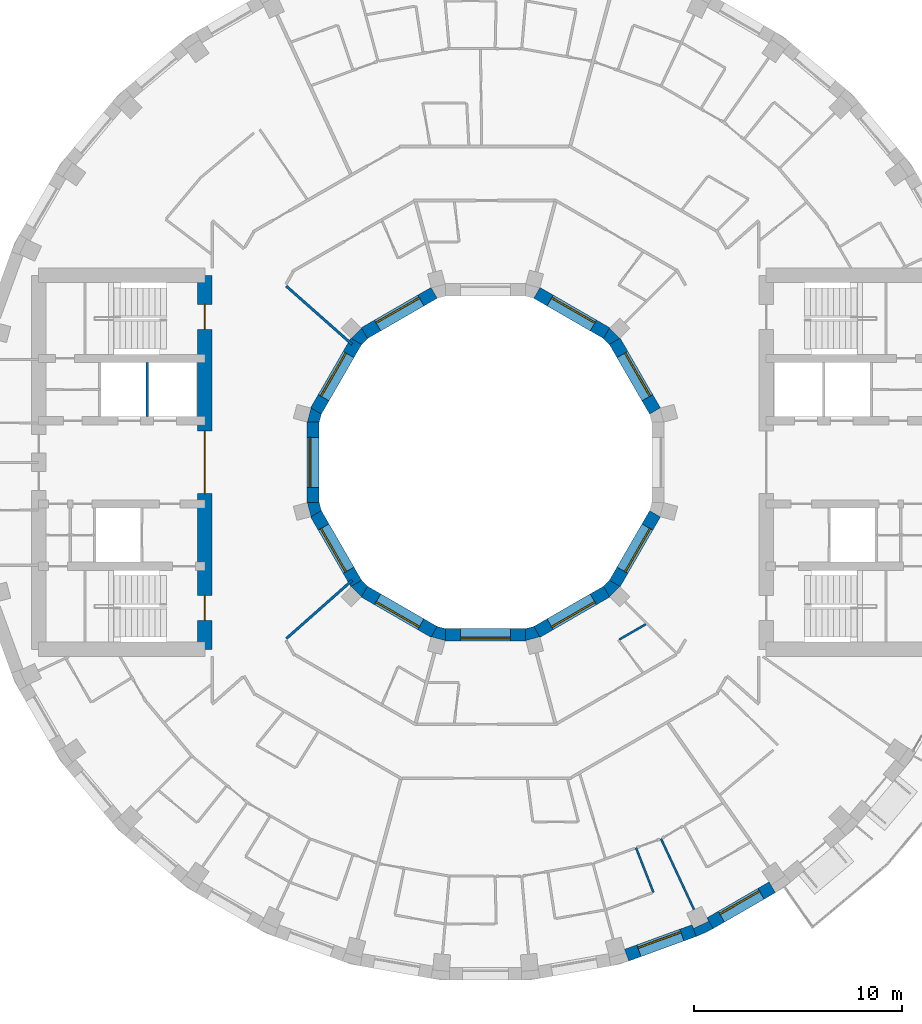
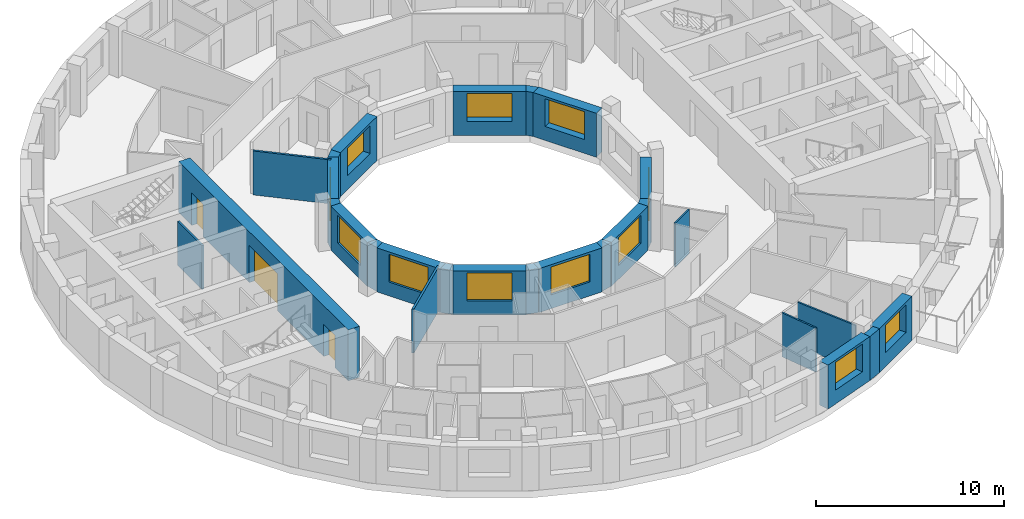
# One storey, part 7 of 14: 28 walls, 12 windows, 3 doors, 15 openings.
"""IFC4 building model written with IfcOpenShell, lengths in metres."""

from ifc_helpers import new_model, si_unit, direction, frame, frame_2d, origin, place, context, subcontext, project, spatial, polyline, rectangle, outline, extrude, material, layer, layer_set, type_object, element, fill, save


model = new_model("IFC4")

# Units and contexts
model_context = context("Model", 3, precision=1e-05, world=origin(), true_north=direction((0.0, 1.0)))
body_context = subcontext(model_context, "Body", "Model", "MODEL_VIEW")
ifc_project = project(units=[si_unit("LENGTHUNIT", "METRE"), si_unit("AREAUNIT", "SQUARE_METRE"), si_unit("VOLUMEUNIT", "CUBIC_METRE"), si_unit("PLANEANGLEUNIT", "RADIAN"), si_unit("MASSUNIT", "GRAM", prefix="KILO")], contexts=[model_context])

# Site, building, storey
site_placement = place(None, origin())
site = spatial("IfcSite", under=ifc_project, at=site_placement, CompositionType="ELEMENT")
building_placement = place(site_placement, origin())
building = spatial("IfcBuilding", under=site, at=building_placement, Name="Saqina Gate Tower", CompositionType="ELEMENT")
storey_placement = place(building_placement, frame((0.0, 0.0, 174.0)))
storey = spatial("IfcBuildingStorey", under=building, at=storey_placement, Name="L49", CompositionType="ELEMENT", Elevation=174.0)

# Wall
ifc_material_1 = material(Name="Brick masonry (buff)", Category="masonry")
wall_type_1 = type_object("IfcWallType", Name="BRICK PIER COPING BUFF", PredefinedType="SOLIDWALL", material=ifc_material_1)
wall_1_placement = place(storey_placement, origin())
element("IfcWall", 1, at=wall_1_placement, inside=storey, type_object=wall_type_1, Name="Pier cap L49 column 30", PredefinedType="SOLIDWALL", context=body_context, shape_type="SweptSolid", body=[
    extrude(outline(polyline([(10.958740234375, -22.4306640625), (10.65869140625, -21.9111328125), (10.73779296875, -22.080810546875), (10.0126953125, -22.4189453125), (9.93359375, -22.249267578125), (10.138916015625, -22.81298828125), (10.958740234375, -22.4306640625)])), origin(), (0.0, 0.0, 1.0), 2.85009765625),
])

# Wall, opening, window
ifc_material_2 = material(Name="Brick masonry (buff)", Category="masonry")
ifc_layer_1 = layer(ifc_material_2, 0.60009765625)
ifc_layer_set_1 = layer_set([ifc_layer_1], Name="FW-BRICK-BUFF")
wall_type_2 = type_object("IfcWallType", Name="FW-BRICK-BUFF", PredefinedType="SOLIDWALL", material=ifc_layer_set_1)
wall_2_placement = place(storey_placement, frame((6.79443359375, -23.7109375, 0.0), z_axis=(0.0, 0.0, 1.0), x_axis=(0.93968799822, 0.342032843455, 0.0)))
wall_2 = element("IfcWall", 2, at=wall_2_placement, inside=storey, type_object=wall_type_2, Name="Facade wall L49 facet 29", PredefinedType="SOLIDWALL", context=body_context, shape_type="SweptSolid", body=[
    extrude(rectangle(XDim=3.44970703125, YDim=0.60009765625, at=frame_2d((1.724853515625, 0.0))), origin(), (0.0, 0.0, 1.0), 2.85009765625),
])
opening_1_placement = place(wall_2_placement, frame((0.625, 0.0, 0.89990234375)))
opening_1 = element("IfcOpeningElement", 3, at=opening_1_placement, cuts=wall_2, Name="Opening G14-W22", PredefinedType="OPENING", context=body_context, shape_type="SweptSolid", body=[
    extrude(rectangle(XDim=2.199951171875, YDim=1.800048828125, at=frame_2d((1.10009765625, 0.89990234375))), frame((0.0, 0.31201171875, 0.0), z_axis=(0.0, -1.0, 0.0), x_axis=(1.0, 0.0, 0.0)), (0.0, 0.0, 1.0), 0.6240234375),
])
ifc_material_3 = material(Name="Aluminium glazing", Category="aluminium")
window_type_1 = type_object("IfcWindowType", Name="WN-C", PartitioningType="SINGLE_PANEL", PredefinedType="WINDOW", material=ifc_material_3)
window_1_placement = place(opening_1_placement, origin())
window_1 = element("IfcWindow", 4, at=window_1_placement, inside=storey, type_object=window_type_1, Name="Window L49 facet 29", OverallHeight=1.800048828125, OverallWidth=2.199951171875, PartitioningType="SINGLE_PANEL", PredefinedType="WINDOW", context=body_context, shape_type="SweptSolid", body=[
    extrude(rectangle(XDim=2.199951171875, YDim=1.800048828125, at=frame_2d((1.10009765625, 0.89990234375))), frame((0.0, 0.179931640625, 0.0), z_axis=(0.0, -1.0, 0.0), x_axis=(1.0, 0.0, 0.0)), (0.0, 0.0, 1.0), 0.06005859375),
])
fill(opening_1, window_1)

wall_3_placement = place(storey_placement, frame((10.80859375, -22.1708984375, 0.0), z_axis=(0.0, 0.0, 1.0), x_axis=(0.86602648383, 0.499998129301, 0.0)))
wall_3 = element("IfcWall", 5, at=wall_3_placement, inside=storey, type_object=wall_type_2, Name="Facade wall L49 facet 30", PredefinedType="SOLIDWALL", context=body_context, shape_type="SweptSolid", body=[
    extrude(rectangle(XDim=3.44970703125, YDim=0.60009765625, at=frame_2d((1.724853515625, 0.0))), origin(), (0.0, 0.0, 1.0), 2.85009765625),
])
opening_2_placement = place(wall_3_placement, frame((0.625, 0.0, 0.89990234375)))
opening_2 = element("IfcOpeningElement", 6, at=opening_2_placement, cuts=wall_3, Name="Opening G14-W23", PredefinedType="OPENING", context=body_context, shape_type="SweptSolid", body=[
    extrude(rectangle(XDim=2.199951171875, YDim=1.800048828125, at=frame_2d((1.10009765625, 0.89990234375))), frame((0.0, 0.31201171875, 0.0), z_axis=(0.0, -1.0, 0.0), x_axis=(1.0, 0.0, 0.0)), (0.0, 0.0, 1.0), 0.6240234375),
])
window_2_placement = place(opening_2_placement, origin())
window_2 = element("IfcWindow", 7, at=window_2_placement, inside=storey, type_object=window_type_1, Name="Window L49 facet 30", OverallHeight=1.800048828125, OverallWidth=2.199951171875, PartitioningType="SINGLE_PANEL", PredefinedType="WINDOW", context=body_context, shape_type="SweptSolid", body=[
    extrude(rectangle(XDim=2.199951171875, YDim=1.800048828125, at=frame_2d((1.10009765625, 0.89990234375))), frame((0.0, 0.179931640625, 0.0), z_axis=(0.0, -1.0, 0.0), x_axis=(1.0, 0.0, 0.0)), (0.0, 0.0, 1.0), 0.06005859375),
])
fill(opening_2, window_2)

ifc_material_4 = material(Name="Glazed ceramic tile", Category="ceramic")
ifc_layer_2 = layer(ifc_material_4, 0.60009765625)
ifc_layer_set_2 = layer_set([ifc_layer_2], Name="IW-TILE")
wall_type_3 = type_object("IfcWallType", Name="IW-TILE", PredefinedType="SOLIDWALL", material=ifc_layer_set_2)
wall_4_placement = place(storey_placement, frame((8.155517578125, 2.474365234375, 0.0), z_axis=(0.0, 0.0, 1.0), x_axis=(-0.500033728941, 0.866005929495, 0.0)))
wall_4 = element("IfcWall", 8, at=wall_4_placement, inside=storey, type_object=wall_type_3, Name="Well wall L49 facet 1", PredefinedType="SOLIDWALL", context=body_context, shape_type="SweptSolid", body=[
    extrude(rectangle(XDim=3.869873046875, YDim=0.60009765625, at=frame_2d((1.93505859375, 0.0))), origin(), (0.0, 0.0, 1.0), 2.85009765625),
])
opening_3_placement = place(wall_4_placement, frame((0.73486328125, 0.0, 0.89990234375)))
opening_3 = element("IfcOpeningElement", 9, at=opening_3_placement, cuts=wall_4, Name="Opening G14-W24", PredefinedType="OPENING", context=body_context, shape_type="SweptSolid", body=[
    extrude(rectangle(XDim=2.39990234375, YDim=1.800048828125, at=frame_2d((1.199951171875, 0.89990234375))), frame((0.0, 0.31201171875, 0.0), z_axis=(0.0, -1.0, 0.0), x_axis=(1.0, 0.0, 0.0)), (0.0, 0.0, 1.0), 0.6240234375),
])
ifc_material_5 = material(Name="Aluminium glazing", Category="aluminium")
window_type_2 = type_object("IfcWindowType", Name="WN-W", PartitioningType="SINGLE_PANEL", PredefinedType="WINDOW", material=ifc_material_5)
window_3_placement = place(opening_3_placement, origin())
window_3 = element("IfcWindow", 10, at=window_3_placement, inside=storey, type_object=window_type_2, Name="Well window L49 facet 1", OverallHeight=1.800048828125, OverallWidth=2.39990234375, PartitioningType="SINGLE_PANEL", PredefinedType="WINDOW", context=body_context, shape_type="SweptSolid", body=[
    extrude(rectangle(XDim=2.39990234375, YDim=1.800048828125, at=frame_2d((1.199951171875, 0.89990234375))), frame((0.0, -0.119873046875, 0.0), z_axis=(0.0, -1.0, 0.0), x_axis=(1.0, 0.0, 0.0)), (0.0, 0.0, 1.0), 0.06005859375),
])
fill(opening_3, window_3)

wall_5_placement = place(storey_placement, frame((5.82568359375, 6.220458984375, 0.0), z_axis=(0.0, 0.0, 1.0), x_axis=(-0.866005929495, 0.500033728941, 0.0)))
wall_5 = element("IfcWall", 11, at=wall_5_placement, inside=storey, type_object=wall_type_3, Name="Well wall L49 facet 2", PredefinedType="SOLIDWALL", context=body_context, shape_type="SweptSolid", body=[
    extrude(rectangle(XDim=3.869873046875, YDim=0.60009765625, at=frame_2d((1.93505859375, 0.0))), origin(), (0.0, 0.0, 1.0), 2.85009765625),
])
opening_4_placement = place(wall_5_placement, frame((0.73486328125, 0.0, 0.89990234375)))
opening_4 = element("IfcOpeningElement", 12, at=opening_4_placement, cuts=wall_5, Name="Opening G14-W25", PredefinedType="OPENING", context=body_context, shape_type="SweptSolid", body=[
    extrude(rectangle(XDim=2.39990234375, YDim=1.800048828125, at=frame_2d((1.199951171875, 0.89990234375))), frame((0.0, 0.31201171875, 0.0), z_axis=(0.0, -1.0, 0.0), x_axis=(1.0, 0.0, 0.0)), (0.0, 0.0, 1.0), 0.6240234375),
])
window_4_placement = place(opening_4_placement, origin())
window_4 = element("IfcWindow", 13, at=window_4_placement, inside=storey, type_object=window_type_2, Name="Well window L49 facet 2", OverallHeight=1.800048828125, OverallWidth=2.39990234375, PartitioningType="SINGLE_PANEL", PredefinedType="WINDOW", context=body_context, shape_type="SweptSolid", body=[
    extrude(rectangle(XDim=2.39990234375, YDim=1.800048828125, at=frame_2d((1.199951171875, 0.89990234375))), frame((0.0, -0.119873046875, 0.0), z_axis=(0.0, -1.0, 0.0), x_axis=(1.0, 0.0, 0.0)), (0.0, 0.0, 1.0), 0.06005859375),
])
fill(opening_4, window_4)

wall_6_placement = place(storey_placement, frame((-2.474365234375, 8.155517578125, 0.0), z_axis=(0.0, 0.0, 1.0), x_axis=(-0.866005929495, -0.500033728941, 0.0)))
wall_6 = element("IfcWall", 14, at=wall_6_placement, inside=storey, type_object=wall_type_3, Name="Well wall L49 facet 4", PredefinedType="SOLIDWALL", context=body_context, shape_type="SweptSolid", body=[
    extrude(rectangle(XDim=3.869873046875, YDim=0.60009765625, at=frame_2d((1.93505859375, 0.0))), origin(), (0.0, 0.0, 1.0), 2.85009765625),
])
opening_5_placement = place(wall_6_placement, frame((0.73486328125, 0.0, 0.89990234375)))
opening_5 = element("IfcOpeningElement", 15, at=opening_5_placement, cuts=wall_6, Name="Opening G14-W27", PredefinedType="OPENING", context=body_context, shape_type="SweptSolid", body=[
    extrude(rectangle(XDim=2.39990234375, YDim=1.800048828125, at=frame_2d((1.199951171875, 0.89990234375))), frame((0.0, 0.31201171875, 0.0), z_axis=(0.0, -1.0, 0.0), x_axis=(1.0, 0.0, 0.0)), (0.0, 0.0, 1.0), 0.6240234375),
])
window_5_placement = place(opening_5_placement, origin())
window_5 = element("IfcWindow", 16, at=window_5_placement, inside=storey, type_object=window_type_2, Name="Well window L49 facet 4", OverallHeight=1.800048828125, OverallWidth=2.39990234375, PartitioningType="SINGLE_PANEL", PredefinedType="WINDOW", context=body_context, shape_type="SweptSolid", body=[
    extrude(rectangle(XDim=2.39990234375, YDim=1.800048828125, at=frame_2d((1.199951171875, 0.89990234375))), frame((0.0, -0.119873046875, 0.0), z_axis=(0.0, -1.0, 0.0), x_axis=(1.0, 0.0, 0.0)), (0.0, 0.0, 1.0), 0.06005859375),
])
fill(opening_5, window_5)

wall_7_placement = place(storey_placement, frame((-6.220458984375, 5.82568359375, 0.0), z_axis=(0.0, 0.0, 1.0), x_axis=(-0.500033728941, -0.866005929495, 0.0)))
wall_7 = element("IfcWall", 17, at=wall_7_placement, inside=storey, type_object=wall_type_3, Name="Well wall L49 facet 5", PredefinedType="SOLIDWALL", context=body_context, shape_type="SweptSolid", body=[
    extrude(rectangle(XDim=3.869873046875, YDim=0.60009765625, at=frame_2d((1.93505859375, 0.0))), origin(), (0.0, 0.0, 1.0), 2.85009765625),
])
opening_6_placement = place(wall_7_placement, frame((0.73486328125, 0.0, 0.89990234375)))
opening_6 = element("IfcOpeningElement", 18, at=opening_6_placement, cuts=wall_7, Name="Opening G14-W28", PredefinedType="OPENING", context=body_context, shape_type="SweptSolid", body=[
    extrude(rectangle(XDim=2.39990234375, YDim=1.800048828125, at=frame_2d((1.199951171875, 0.89990234375))), frame((0.0, 0.31201171875, 0.0), z_axis=(0.0, -1.0, 0.0), x_axis=(1.0, 0.0, 0.0)), (0.0, 0.0, 1.0), 0.6240234375),
])
window_6_placement = place(opening_6_placement, origin())
window_6 = element("IfcWindow", 19, at=window_6_placement, inside=storey, type_object=window_type_2, Name="Well window L49 facet 5", OverallHeight=1.800048828125, OverallWidth=2.39990234375, PartitioningType="SINGLE_PANEL", PredefinedType="WINDOW", context=body_context, shape_type="SweptSolid", body=[
    extrude(rectangle(XDim=2.39990234375, YDim=1.800048828125, at=frame_2d((1.199951171875, 0.89990234375))), frame((0.0, -0.119873046875, 0.0), z_axis=(0.0, -1.0, 0.0), x_axis=(1.0, 0.0, 0.0)), (0.0, 0.0, 1.0), 0.06005859375),
])
fill(opening_6, window_6)

wall_8_placement = place(storey_placement, frame((-8.300048828125, 1.934814453125, 0.0), z_axis=(0.0, 0.0, 1.0), x_axis=(0.0, -1.0, 0.0)))
wall_8 = element("IfcWall", 20, at=wall_8_placement, inside=storey, type_object=wall_type_3, Name="Well wall L49 facet 6", PredefinedType="SOLIDWALL", context=body_context, shape_type="SweptSolid", body=[
    extrude(rectangle(XDim=3.86962890625, YDim=0.60009765625, at=frame_2d((1.934814453125, 0.0))), origin(), (0.0, 0.0, 1.0), 2.85009765625),
])
opening_7_placement = place(wall_8_placement, frame((0.73486328125, 0.0, 0.89990234375)))
opening_7 = element("IfcOpeningElement", 21, at=opening_7_placement, cuts=wall_8, Name="Opening G14-W29", PredefinedType="OPENING", context=body_context, shape_type="SweptSolid", body=[
    extrude(rectangle(XDim=2.39990234375, YDim=1.800048828125, at=frame_2d((1.199951171875, 0.89990234375))), frame((0.0, 0.31201171875, 0.0), z_axis=(0.0, -1.0, 0.0), x_axis=(1.0, 0.0, 0.0)), (0.0, 0.0, 1.0), 0.6240234375),
])
window_7_placement = place(opening_7_placement, origin())
window_7 = element("IfcWindow", 22, at=window_7_placement, inside=storey, type_object=window_type_2, Name="Well window L49 facet 6", OverallHeight=1.800048828125, OverallWidth=2.39990234375, PartitioningType="SINGLE_PANEL", PredefinedType="WINDOW", context=body_context, shape_type="SweptSolid", body=[
    extrude(rectangle(XDim=2.39990234375, YDim=1.800048828125, at=frame_2d((1.199951171875, 0.89990234375))), frame((0.0, -0.119873046875, 0.0), z_axis=(0.0, -1.0, 0.0), x_axis=(1.0, 0.0, 0.0)), (0.0, 0.0, 1.0), 0.06005859375),
])
fill(opening_7, window_7)

wall_9_placement = place(storey_placement, frame((-8.155517578125, -2.474365234375, 0.0), z_axis=(0.0, 0.0, 1.0), x_axis=(0.500033728941, -0.866005929495, 0.0)))
wall_9 = element("IfcWall", 23, at=wall_9_placement, inside=storey, type_object=wall_type_3, Name="Well wall L49 facet 7", PredefinedType="SOLIDWALL", context=body_context, shape_type="SweptSolid", body=[
    extrude(rectangle(XDim=3.869873046875, YDim=0.60009765625, at=frame_2d((1.93505859375, 0.0))), origin(), (0.0, 0.0, 1.0), 2.85009765625),
])
opening_8_placement = place(wall_9_placement, frame((0.73486328125, 0.0, 0.89990234375)))
opening_8 = element("IfcOpeningElement", 24, at=opening_8_placement, cuts=wall_9, Name="Opening G14-W30", PredefinedType="OPENING", context=body_context, shape_type="SweptSolid", body=[
    extrude(rectangle(XDim=2.39990234375, YDim=1.800048828125, at=frame_2d((1.199951171875, 0.89990234375))), frame((0.0, 0.31201171875, 0.0), z_axis=(0.0, -1.0, 0.0), x_axis=(1.0, 0.0, 0.0)), (0.0, 0.0, 1.0), 0.6240234375),
])
window_8_placement = place(opening_8_placement, origin())
window_8 = element("IfcWindow", 25, at=window_8_placement, inside=storey, type_object=window_type_2, Name="Well window L49 facet 7", OverallHeight=1.800048828125, OverallWidth=2.39990234375, PartitioningType="SINGLE_PANEL", PredefinedType="WINDOW", context=body_context, shape_type="SweptSolid", body=[
    extrude(rectangle(XDim=2.39990234375, YDim=1.800048828125, at=frame_2d((1.199951171875, 0.89990234375))), frame((0.0, -0.119873046875, 0.0), z_axis=(0.0, -1.0, 0.0), x_axis=(1.0, 0.0, 0.0)), (0.0, 0.0, 1.0), 0.06005859375),
])
fill(opening_8, window_8)

wall_10_placement = place(storey_placement, frame((-5.82568359375, -6.220458984375, 0.0), z_axis=(0.0, 0.0, 1.0), x_axis=(0.866005929495, -0.500033728941, 0.0)))
wall_10 = element("IfcWall", 26, at=wall_10_placement, inside=storey, type_object=wall_type_3, Name="Well wall L49 facet 8", PredefinedType="SOLIDWALL", context=body_context, shape_type="SweptSolid", body=[
    extrude(rectangle(XDim=3.869873046875, YDim=0.60009765625, at=frame_2d((1.93505859375, 0.0))), origin(), (0.0, 0.0, 1.0), 2.85009765625),
])
opening_9_placement = place(wall_10_placement, frame((0.73486328125, 0.0, 0.89990234375)))
opening_9 = element("IfcOpeningElement", 27, at=opening_9_placement, cuts=wall_10, Name="Opening G14-W31", PredefinedType="OPENING", context=body_context, shape_type="SweptSolid", body=[
    extrude(rectangle(XDim=2.39990234375, YDim=1.800048828125, at=frame_2d((1.199951171875, 0.89990234375))), frame((0.0, 0.31201171875, 0.0), z_axis=(0.0, -1.0, 0.0), x_axis=(1.0, 0.0, 0.0)), (0.0, 0.0, 1.0), 0.6240234375),
])
window_9_placement = place(opening_9_placement, origin())
window_9 = element("IfcWindow", 28, at=window_9_placement, inside=storey, type_object=window_type_2, Name="Well window L49 facet 8", OverallHeight=1.800048828125, OverallWidth=2.39990234375, PartitioningType="SINGLE_PANEL", PredefinedType="WINDOW", context=body_context, shape_type="SweptSolid", body=[
    extrude(rectangle(XDim=2.39990234375, YDim=1.800048828125, at=frame_2d((1.199951171875, 0.89990234375))), frame((0.0, -0.119873046875, 0.0), z_axis=(0.0, -1.0, 0.0), x_axis=(1.0, 0.0, 0.0)), (0.0, 0.0, 1.0), 0.06005859375),
])
fill(opening_9, window_9)

wall_11_placement = place(storey_placement, frame((-1.934814453125, -8.300048828125, 0.0), z_axis=(0.0, 0.0, 1.0), x_axis=(1.0, 0.0, 0.0)))
wall_11 = element("IfcWall", 29, at=wall_11_placement, inside=storey, type_object=wall_type_3, Name="Well wall L49 facet 9", PredefinedType="SOLIDWALL", context=body_context, shape_type="SweptSolid", body=[
    extrude(rectangle(XDim=3.86962890625, YDim=0.60009765625, at=frame_2d((1.934814453125, 0.0))), origin(), (0.0, 0.0, 1.0), 2.85009765625),
])
opening_10_placement = place(wall_11_placement, frame((0.73486328125, 0.0, 0.89990234375)))
opening_10 = element("IfcOpeningElement", 30, at=opening_10_placement, cuts=wall_11, Name="Opening G14-W32", PredefinedType="OPENING", context=body_context, shape_type="SweptSolid", body=[
    extrude(rectangle(XDim=2.39990234375, YDim=1.800048828125, at=frame_2d((1.199951171875, 0.89990234375))), frame((0.0, 0.31201171875, 0.0), z_axis=(0.0, -1.0, 0.0), x_axis=(1.0, 0.0, 0.0)), (0.0, 0.0, 1.0), 0.6240234375),
])
window_10_placement = place(opening_10_placement, origin())
window_10 = element("IfcWindow", 31, at=window_10_placement, inside=storey, type_object=window_type_2, Name="Well window L49 facet 9", OverallHeight=1.800048828125, OverallWidth=2.39990234375, PartitioningType="SINGLE_PANEL", PredefinedType="WINDOW", context=body_context, shape_type="SweptSolid", body=[
    extrude(rectangle(XDim=2.39990234375, YDim=1.800048828125, at=frame_2d((1.199951171875, 0.89990234375))), frame((0.0, -0.119873046875, 0.0), z_axis=(0.0, -1.0, 0.0), x_axis=(1.0, 0.0, 0.0)), (0.0, 0.0, 1.0), 0.06005859375),
])
fill(opening_10, window_10)

wall_12_placement = place(storey_placement, frame((2.474365234375, -8.155517578125, 0.0), z_axis=(0.0, 0.0, 1.0), x_axis=(0.866005929495, 0.500033728941, 0.0)))
wall_12 = element("IfcWall", 32, at=wall_12_placement, inside=storey, type_object=wall_type_3, Name="Well wall L49 facet 10", PredefinedType="SOLIDWALL", context=body_context, shape_type="SweptSolid", body=[
    extrude(rectangle(XDim=3.869873046875, YDim=0.60009765625, at=frame_2d((1.93505859375, 0.0))), origin(), (0.0, 0.0, 1.0), 2.85009765625),
])
opening_11_placement = place(wall_12_placement, frame((0.73486328125, 0.0, 0.89990234375)))
opening_11 = element("IfcOpeningElement", 33, at=opening_11_placement, cuts=wall_12, Name="Opening G14-W33", PredefinedType="OPENING", context=body_context, shape_type="SweptSolid", body=[
    extrude(rectangle(XDim=2.39990234375, YDim=1.800048828125, at=frame_2d((1.199951171875, 0.89990234375))), frame((0.0, 0.31201171875, 0.0), z_axis=(0.0, -1.0, 0.0), x_axis=(1.0, 0.0, 0.0)), (0.0, 0.0, 1.0), 0.6240234375),
])
window_11_placement = place(opening_11_placement, origin())
window_11 = element("IfcWindow", 34, at=window_11_placement, inside=storey, type_object=window_type_2, Name="Well window L49 facet 10", OverallHeight=1.800048828125, OverallWidth=2.39990234375, PartitioningType="SINGLE_PANEL", PredefinedType="WINDOW", context=body_context, shape_type="SweptSolid", body=[
    extrude(rectangle(XDim=2.39990234375, YDim=1.800048828125, at=frame_2d((1.199951171875, 0.89990234375))), frame((0.0, -0.119873046875, 0.0), z_axis=(0.0, -1.0, 0.0), x_axis=(1.0, 0.0, 0.0)), (0.0, 0.0, 1.0), 0.06005859375),
])
fill(opening_11, window_11)

wall_13_placement = place(storey_placement, frame((6.220458984375, -5.82568359375, 0.0), z_axis=(0.0, 0.0, 1.0), x_axis=(0.500033728941, 0.866005929495, 0.0)))
wall_13 = element("IfcWall", 35, at=wall_13_placement, inside=storey, type_object=wall_type_3, Name="Well wall L49 facet 11", PredefinedType="SOLIDWALL", context=body_context, shape_type="SweptSolid", body=[
    extrude(rectangle(XDim=3.869873046875, YDim=0.60009765625, at=frame_2d((1.93505859375, 0.0))), origin(), (0.0, 0.0, 1.0), 2.85009765625),
])
opening_12_placement = place(wall_13_placement, frame((0.73486328125, 0.0, 0.89990234375)))
opening_12 = element("IfcOpeningElement", 36, at=opening_12_placement, cuts=wall_13, Name="Opening G14-W34", PredefinedType="OPENING", context=body_context, shape_type="SweptSolid", body=[
    extrude(rectangle(XDim=2.39990234375, YDim=1.800048828125, at=frame_2d((1.199951171875, 0.89990234375))), frame((0.0, 0.31201171875, 0.0), z_axis=(0.0, -1.0, 0.0), x_axis=(1.0, 0.0, 0.0)), (0.0, 0.0, 1.0), 0.6240234375),
])
window_12_placement = place(opening_12_placement, origin())
window_12 = element("IfcWindow", 37, at=window_12_placement, inside=storey, type_object=window_type_2, Name="Well window L49 facet 11", OverallHeight=1.800048828125, OverallWidth=2.39990234375, PartitioningType="SINGLE_PANEL", PredefinedType="WINDOW", context=body_context, shape_type="SweptSolid", body=[
    extrude(rectangle(XDim=2.39990234375, YDim=1.800048828125, at=frame_2d((1.199951171875, 0.89990234375))), frame((0.0, -0.119873046875, 0.0), z_axis=(0.0, -1.0, 0.0), x_axis=(1.0, 0.0, 0.0)), (0.0, 0.0, 1.0), 0.06005859375),
])
fill(opening_12, window_12)

# Walls
ifc_material_6 = material(Name="Gypsum board on steel studs, 100 mm", Category="steel")
ifc_layer_3 = layer(ifc_material_6, 0.10009765625)
ifc_layer_set_3 = layer_set([ifc_layer_3], Name="PARTITION 100")
wall_type_4 = type_object("IfcWallType", Name="PARTITION 100", PredefinedType="PARTITIONING", material=ifc_layer_set_3)
wall_14_placement = place(storey_placement, frame((7.242919921875, -18.5458984375, 0.0), z_axis=(0.0, 0.0, 1.0), x_axis=(0.363859158163, -0.93145397794, 0.0)))
element("IfcWall", 38, at=wall_14_placement, inside=storey, type_object=wall_type_4, Name="PARTITION PW3-16", PredefinedType="PARTITIONING", context=body_context, shape_type="SweptSolid", body=[
    extrude(rectangle(XDim=2.30078125, YDim=0.10009765625, at=frame_2d((1.150390625, 0.0))), origin(), (0.0, 0.0, 1.0), 2.85009765625),
])
wall_15_placement = place(storey_placement, frame((8.444091796875, -18.10888671875, 0.0), z_axis=(0.0, 0.0, 1.0), x_axis=(0.422654355883, -0.906290955186, 0.0)))
element("IfcWall", 39, at=wall_15_placement, inside=storey, type_object=wall_type_4, Name="PARTITION PW3-18", PredefinedType="PARTITIONING", context=body_context, shape_type="SweptSolid", body=[
    extrude(rectangle(XDim=3.75927734375, YDim=0.10009765625, at=frame_2d((1.879638671875, 0.0))), origin(), (0.0, 0.0, 1.0), 2.85009765625),
])
wall_16_placement = place(storey_placement, frame((6.4404296875, -8.52099609375, 0.0), z_axis=(0.0, 0.0, 1.0), x_axis=(0.866268331141, 0.499579001222, 0.0)))
element("IfcWall", 40, at=wall_16_placement, inside=storey, type_object=wall_type_4, Name="PARTITION PW3-70", PredefinedType="PARTITIONING", context=body_context, shape_type="SweptSolid", body=[
    extrude(rectangle(XDim=1.473388671875, YDim=0.10009765625, at=frame_2d((0.73681640625, 0.0))), origin(), (0.0, 0.0, 1.0), 2.85009765625),
])
ifc_material_7 = material(Name="Gypsum board on steel studs, 125 mm, fire rated", Category="steel")
ifc_layer_4 = layer(ifc_material_7, 0.125)
ifc_layer_set_4 = layer_set([ifc_layer_4], Name="PARTITION EI 30 125")
wall_type_5 = type_object("IfcWallType", Name="PARTITION EI 30 125", PredefinedType="PARTITIONING", material=ifc_layer_set_4)
for number, where, z_axis, x_axis, name in (
    (41, (-9.5849609375, 8.47998046875, 0.0), (0.0, 0.0, 1.0), (0.748972302021, -0.662601306069, 0.0), "PARTITION PW1-11"),
    (42, (-9.5849609375, -8.47998046875, 0.0), (0.0, 0.0, 1.0), (0.748972302021, 0.662601306069, 0.0), "PARTITION PW1-43"),
):
    element("IfcWall", number, at=place(storey_placement, frame(where, z_axis=z_axis, x_axis=x_axis)), inside=storey, type_object=wall_type_5, Name=name, PredefinedType="PARTITIONING", context=body_context, shape_type="SweptSolid", body=[
        extrude(rectangle(XDim=4.225830078125, YDim=0.125, at=frame_2d((2.11279296875, 0.0))), origin(), (0.0, 0.0, 1.0), 2.85009765625),
    ])
ifc_material_8 = material(Name="Autoclaved aerated concrete block", Category="concrete")
ifc_layer_5 = layer(ifc_material_8, 0.1201171875)
ifc_layer_set_5 = layer_set([ifc_layer_5], Name="SHAFT PARTITION")
wall_type_6 = type_object("IfcWallType", Name="SHAFT PARTITION", PredefinedType="PARTITIONING", material=ifc_layer_set_5)
wall_17_placement = place(storey_placement, frame((-16.280029296875, 2.199951171875, 0.0), z_axis=(0.0, 0.0, 1.0), x_axis=(0.0, 1.0, 0.0)))
element("IfcWall", 43, at=wall_17_placement, inside=storey, type_object=wall_type_6, Name="L49-CP-W06", PredefinedType="PARTITIONING", context=body_context, shape_type="SweptSolid", body=[
    extrude(rectangle(XDim=2.60009765625, YDim=0.1201171875, at=frame_2d((1.300048828125, 0.0))), origin(), (0.0, 0.0, 1.0), 2.85009765625),
])

# Wall, openings, doors
ifc_material_9 = material(Name="Concrete C60/75", Category="concrete")
ifc_layer_6 = layer(ifc_material_9, 0.699951171875)
ifc_layer_set_6 = layer_set([ifc_layer_6], Name="Concrete C60/75")
wall_type_7 = type_object("IfcWallType", Name="STR-CORE WALL-C-O", PredefinedType="SHEAR", material=ifc_layer_set_6)
wall_18_placement = place(storey_placement, frame((-13.5, -9.0, 0.0), z_axis=(0.0, 0.0, 1.0), x_axis=(0.0, 1.0, 0.0)))
wall_18 = element("IfcWall", 44, at=wall_18_placement, inside=storey, type_object=wall_type_7, Name="CORE WALL L49 W-W1", PredefinedType="SHEAR", context=body_context, shape_type="SweptSolid", body=[
    extrude(rectangle(XDim=18.0, YDim=0.699951171875, at=frame_2d((9.0, 0.0))), origin(), (0.0, 0.0, 1.0), 3.300048828125),
])
opening_13_placement = place(wall_18_placement, frame((15.39990234375, 0.0, 0.0)))
opening_13 = element("IfcOpeningElement", 45, at=opening_13_placement, cuts=wall_18, Name="Opening G14-D121", PredefinedType="OPENING", context=body_context, shape_type="SweptSolid", body=[
    extrude(rectangle(XDim=1.199951171875, YDim=2.10009765625, at=frame_2d((0.60009765625, 1.050048828125))), frame((0.0, 0.362060546875, 0.0), z_axis=(0.0, -1.0, 0.0), x_axis=(1.0, 0.0, 0.0)), (0.0, 0.0, 1.0), 0.723876953125),
])
opening_14_placement = place(wall_18_placement, frame((1.39990234375, 0.0, 0.0)))
opening_14 = element("IfcOpeningElement", 46, at=opening_14_placement, cuts=wall_18, Name="Opening G14-D122", PredefinedType="OPENING", context=body_context, shape_type="SweptSolid", body=[
    extrude(rectangle(XDim=1.199951171875, YDim=2.10009765625, at=frame_2d((0.60009765625, 1.050048828125))), frame((0.0, 0.362060546875, 0.0), z_axis=(0.0, -1.0, 0.0), x_axis=(1.0, 0.0, 0.0)), (0.0, 0.0, 1.0), 0.723876953125),
])
opening_15_placement = place(wall_18_placement, frame((7.5, 0.0, 0.0)))
opening_15 = element("IfcOpeningElement", 47, at=opening_15_placement, cuts=wall_18, Name="Opening G14-D123", PredefinedType="OPENING", context=body_context, shape_type="SweptSolid", body=[
    extrude(rectangle(XDim=3.0, YDim=2.39990234375, at=frame_2d((1.5, 1.199951171875))), frame((0.0, 0.362060546875, 0.0), z_axis=(0.0, -1.0, 0.0), x_axis=(1.0, 0.0, 0.0)), (0.0, 0.0, 1.0), 0.723876953125),
])
ifc_material_10 = material(Name="Steel", Category="steel")
door_type_1 = type_object("IfcDoorType", Name="FIRE DOOR EI 60", OperationType="SINGLE_SWING_LEFT", PredefinedType="DOOR", material=ifc_material_10)
door_1_placement = place(opening_13_placement, origin())
door_1 = element("IfcDoor", 48, at=door_1_placement, inside=storey, type_object=door_type_1, Name="L49-CD-W32", OperationType="SINGLE_SWING_RIGHT", OverallHeight=2.10009765625, OverallWidth=1.199951171875, PredefinedType="DOOR", context=body_context, shape_type="SweptSolid", body=[
    extrude(rectangle(XDim=1.199951171875, YDim=2.10009765625, at=frame_2d((0.60009765625, 1.050048828125))), frame((0.0, 0.02490234375, 0.0), z_axis=(0.0, -1.0, 0.0), x_axis=(1.0, 0.0, 0.0)), (0.0, 0.0, 1.0), 0.050048828125),
])
fill(opening_13, door_1)
door_2_placement = place(opening_14_placement, origin())
door_2 = element("IfcDoor", 49, at=door_2_placement, inside=storey, type_object=door_type_1, Name="L49-CD-W33", OperationType="SINGLE_SWING_LEFT", OverallHeight=2.10009765625, OverallWidth=1.199951171875, PredefinedType="DOOR", context=body_context, shape_type="SweptSolid", body=[
    extrude(rectangle(XDim=1.199951171875, YDim=2.10009765625, at=frame_2d((0.60009765625, 1.050048828125))), frame((0.0, 0.02490234375, 0.0), z_axis=(0.0, -1.0, 0.0), x_axis=(1.0, 0.0, 0.0)), (0.0, 0.0, 1.0), 0.050048828125),
])
fill(opening_14, door_2)
ifc_material_11 = material(Name="Steel and fire-resisting glass", Category="steel")
door_type_2 = type_object("IfcDoorType", Name="LOBBY SCREEN DOOR", OperationType="DOUBLE_DOOR_SLIDING", PredefinedType="DOOR", material=ifc_material_11)
door_3_placement = place(opening_15_placement, origin())
door_3 = element("IfcDoor", 50, at=door_3_placement, inside=storey, type_object=door_type_2, Name="L49-CD-W34", OperationType="DOUBLE_DOOR_SLIDING", OverallHeight=2.39990234375, OverallWidth=3.0, PredefinedType="DOOR", context=body_context, shape_type="SweptSolid", body=[
    extrude(rectangle(XDim=3.0, YDim=2.39990234375, at=frame_2d((1.5, 1.199951171875))), frame((0.0, 0.02490234375, 0.0), z_axis=(0.0, -1.0, 0.0), x_axis=(1.0, 0.0, 0.0)), (0.0, 0.0, 1.0), 0.050048828125),
])
fill(opening_15, door_3)

# Walls
ifc_material_12 = material(Name="Glazed ceramic tile", Category="ceramic")
wall_type_8 = type_object("IfcWallType", Name="TILE PIER COPING", PredefinedType="SOLIDWALL", material=ifc_material_12)
wall_19_placement = place(storey_placement, origin())
element("IfcWall", 51, at=wall_19_placement, inside=storey, type_object=wall_type_8, Name="Well pier cap L49 column 2", PredefinedType="SOLIDWALL", context=body_context, shape_type="SweptSolid", body=[
    extrude(outline(polyline([(5.96240234375, 6.45751953125), (5.67578125, 5.960693359375), (5.960693359375, 5.67578125), (6.45751953125, 5.96240234375), (5.96240234375, 6.45751953125)])), origin(), (0.0, 0.0, 1.0), 2.85009765625),
])
wall_20_placement = place(storey_placement, origin())
element("IfcWall", 52, at=wall_20_placement, inside=storey, type_object=wall_type_8, Name="Well pier cap L49 column 5", PredefinedType="SOLIDWALL", context=body_context, shape_type="SweptSolid", body=[
    extrude(outline(polyline([(-6.45751953125, 5.96240234375), (-5.960693359375, 5.67578125), (-5.67578125, 5.960693359375), (-5.96240234375, 6.45751953125), (-6.45751953125, 5.96240234375)])), origin(), (0.0, 0.0, 1.0), 2.85009765625),
])
wall_21_placement = place(storey_placement, origin())
element("IfcWall", 53, at=wall_21_placement, inside=storey, type_object=wall_type_8, Name="Well pier cap L49 column 6", PredefinedType="SOLIDWALL", context=body_context, shape_type="SweptSolid", body=[
    extrude(outline(polyline([(-8.573486328125, 1.934814453125), (-8.0, 1.934814453125), (-7.895751953125, 2.32421875), (-8.392333984375, 2.611083984375), (-8.573486328125, 1.934814453125)])), origin(), (0.0, 0.0, 1.0), 2.85009765625),
])
wall_22_placement = place(storey_placement, origin())
element("IfcWall", 54, at=wall_22_placement, inside=storey, type_object=wall_type_8, Name="Well pier cap L49 column 7", PredefinedType="SOLIDWALL", context=body_context, shape_type="SweptSolid", body=[
    extrude(outline(polyline([(-8.0, -1.934814453125), (-8.573486328125, -1.934814453125), (-8.392333984375, -2.611083984375), (-7.895751953125, -2.32421875), (-8.0, -1.934814453125)])), origin(), (0.0, 0.0, 1.0), 2.85009765625),
])
wall_23_placement = place(storey_placement, origin())
element("IfcWall", 55, at=wall_23_placement, inside=storey, type_object=wall_type_8, Name="Well pier cap L49 column 8", PredefinedType="SOLIDWALL", context=body_context, shape_type="SweptSolid", body=[
    extrude(outline(polyline([(-6.45751953125, -5.96240234375), (-5.96240234375, -6.45751953125), (-5.67578125, -5.960693359375), (-5.960693359375, -5.67578125), (-6.45751953125, -5.96240234375)])), origin(), (0.0, 0.0, 1.0), 2.85009765625),
])
wall_24_placement = place(storey_placement, origin())
element("IfcWall", 56, at=wall_24_placement, inside=storey, type_object=wall_type_8, Name="Well pier cap L49 column 9", PredefinedType="SOLIDWALL", context=body_context, shape_type="SweptSolid", body=[
    extrude(outline(polyline([(-1.934814453125, -8.573486328125), (-1.934814453125, -8.0), (-2.32421875, -7.895751953125), (-2.611083984375, -8.392333984375), (-1.934814453125, -8.573486328125)])), origin(), (0.0, 0.0, 1.0), 2.85009765625),
])
wall_25_placement = place(storey_placement, origin())
element("IfcWall", 57, at=wall_25_placement, inside=storey, type_object=wall_type_8, Name="Well pier cap L49 column 10", PredefinedType="SOLIDWALL", context=body_context, shape_type="SweptSolid", body=[
    extrude(outline(polyline([(2.611083984375, -8.392333984375), (2.32421875, -7.895751953125), (1.934814453125, -8.0), (1.934814453125, -8.573486328125), (2.611083984375, -8.392333984375)])), origin(), (0.0, 0.0, 1.0), 2.85009765625),
])
wall_26_placement = place(storey_placement, origin())
element("IfcWall", 58, at=wall_26_placement, inside=storey, type_object=wall_type_8, Name="Well pier cap L49 column 11", PredefinedType="SOLIDWALL", context=body_context, shape_type="SweptSolid", body=[
    extrude(outline(polyline([(5.96240234375, -6.45751953125), (6.45751953125, -5.96240234375), (5.960693359375, -5.67578125), (5.67578125, -5.960693359375), (5.96240234375, -6.45751953125)])), origin(), (0.0, 0.0, 1.0), 2.85009765625),
])

save(model, "model.ifc")
